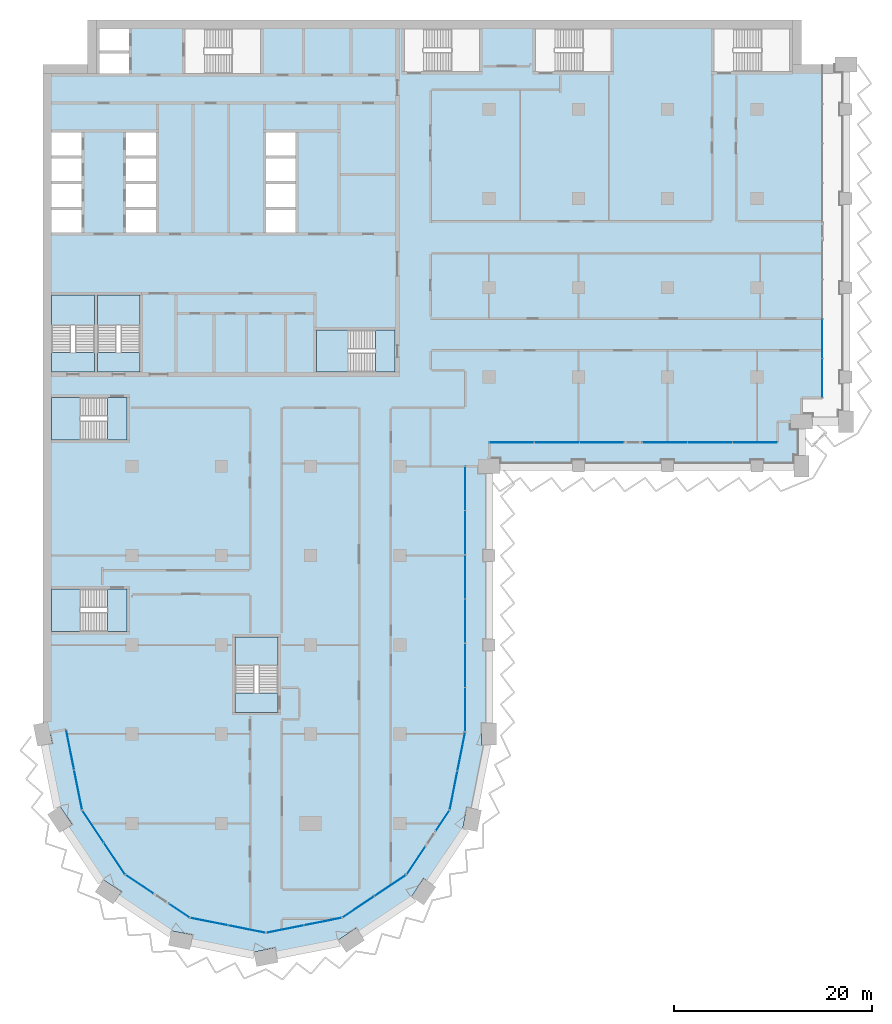
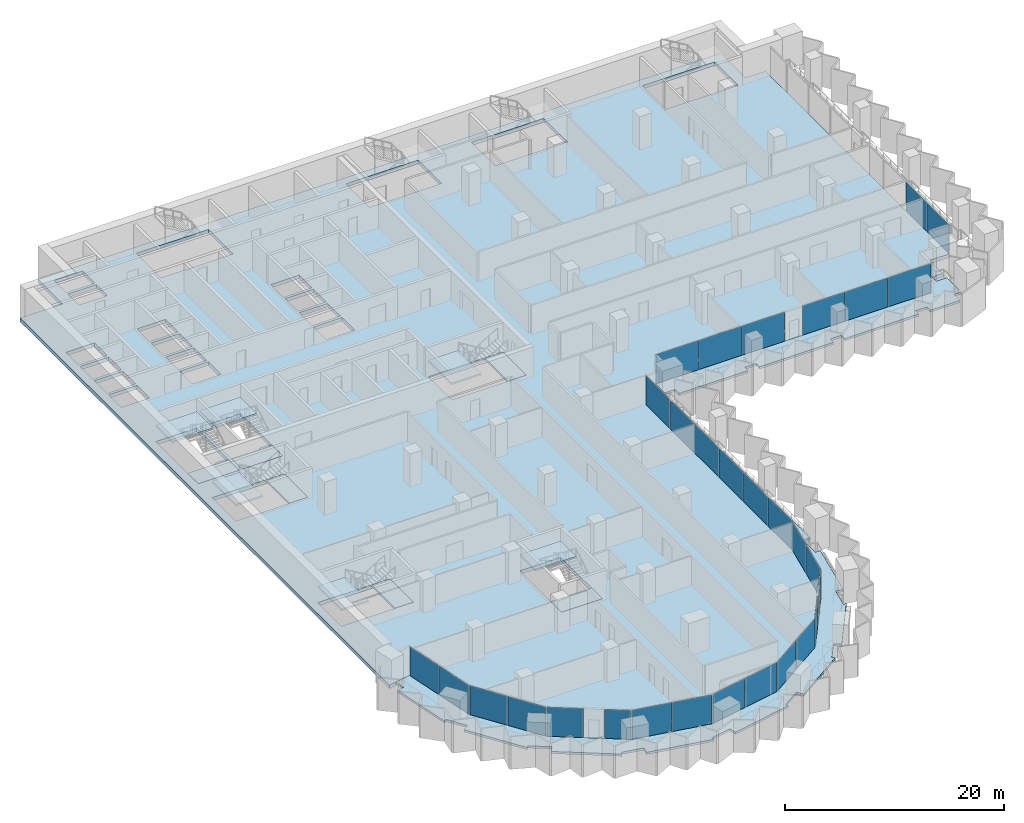
# One storey, part 7 of 23: 30 plates, 15 slabs, 20 elements without a shape of their own.
"""IFC4 building model written with IfcOpenShell, lengths in metres."""

from ifc_helpers import new_model, si_unit, direction, frame, origin, origin_2d, place, context, subcontext, project, spatial, polyline, rectangle, outline, extrude, material, layer, layer_set, type_object, element, aggregate, save


model = new_model("IFC4")

# Units and contexts
model_context = context("Model", 3, precision=1e-05, world=origin(), true_north=direction((0.0, 1.0)))
body_context = subcontext(model_context, "Body", "Model", "MODEL_VIEW")
ifc_project = project(units=[si_unit("LENGTHUNIT", "METRE"), si_unit("AREAUNIT", "SQUARE_METRE"), si_unit("VOLUMEUNIT", "CUBIC_METRE"), si_unit("PLANEANGLEUNIT", "RADIAN"), si_unit("MASSUNIT", "GRAM", prefix="KILO")], contexts=[model_context])

# Site, building, storey
site_placement = place(None, origin())
site = spatial("IfcSite", under=ifc_project, at=site_placement, CompositionType="ELEMENT")
building_placement = place(site_placement, origin())
building = spatial("IfcBuilding", under=site, at=building_placement, Name="Hunhe Ridgeline Campus", CompositionType="ELEMENT")
storey_placement = place(building_placement, frame((0.0, 0.0, 99.60009765625)))
storey = spatial("IfcBuildingStorey", under=building, at=storey_placement, Name="L24", CompositionType="ELEMENT", Elevation=99.60009765625)

# Curtain wall, plates
ifc_material_1 = material(Name="Aluminium 6063", Category="aluminium")
curtain_wall_type_1 = type_object("IfcCurtainWallType", Name="Curtain wall CW-5", PredefinedType="NOTDEFINED", material=ifc_material_1)
curtain_wall_1_placement = place(storey_placement, origin())
curtain_wall_1 = element("IfcCurtainWall", 1, at=curtain_wall_1_placement, inside=storey, type_object=curtain_wall_type_1, Name="Curtain wall 01", PredefinedType="NOTDEFINED")
ifc_material_2 = material(Name="Low-e laminated glass", Category="glass")
ifc_layer_1 = layer(ifc_material_2, 0.028076171875)
ifc_layer_set_1 = layer_set([ifc_layer_1], Name="Curtain wall glass panel 28 low-e laminated")
plate_type = type_object("IfcPlateType", Name="Curtain wall glass panel 28 low-e laminated", PredefinedType="CURTAIN_PANEL", material=ifc_layer_set_1)
plate_1_placement = place(storey_placement, frame((2.76318359375, 25.416015625, 0.0), z_axis=(0.0, 0.0, 1.0), x_axis=(0.195095347137, -0.980784280831, 0.0)))
plate_1 = element("IfcPlate", 2, at=plate_1_placement, type_object=plate_type, Name="CW-5 panel 1", PredefinedType="CURTAIN_PANEL", context=body_context, shape_type="SweptSolid", body=[
    extrude(rectangle(XDim=4.0458984375, YDim=0.028076171875, at=origin_2d()), origin(), (0.0, 0.0, 1.0), 3.22998046875),
])
plate_2_placement = place(storey_placement, frame((3.566162109375, 21.379150390625, 0.0), z_axis=(0.0, 0.0, 1.0), x_axis=(0.195095347137, -0.980784280831, 0.0)))
plate_2 = element("IfcPlate", 3, at=plate_2_placement, type_object=plate_type, Name="CW-5 panel 2", PredefinedType="CURTAIN_PANEL", context=body_context, shape_type="SweptSolid", body=[
    extrude(rectangle(XDim=4.0458984375, YDim=0.028076171875, at=origin_2d()), origin(), (0.0, 0.0, 1.0), 3.22998046875),
])
aggregate(curtain_wall_1, [plate_1, plate_2])

curtain_wall_2_placement = place(storey_placement, origin())
curtain_wall_2 = element("IfcCurtainWall", 4, at=curtain_wall_2_placement, inside=storey, type_object=curtain_wall_type_1, Name="Curtain wall 02", PredefinedType="NOTDEFINED")
plate_3_placement = place(storey_placement, frame((5.07080078125, 17.685546875, 0.0), z_axis=(0.0, 0.0, 1.0), x_axis=(0.555570274596, -0.831469584522, 0.0)))
plate_3 = element("IfcPlate", 5, at=plate_3_placement, type_object=plate_type, Name="CW-5 panel 1", PredefinedType="CURTAIN_PANEL", context=body_context, shape_type="SweptSolid", body=[
    extrude(rectangle(XDim=3.806884765625, YDim=0.028076171875, at=origin_2d()), origin(), (0.0, 0.0, 1.0), 3.22998046875),
])
plate_4_placement = place(storey_placement, frame((7.224609375, 14.4619140625, 0.0), z_axis=(0.0, 0.0, 1.0), x_axis=(0.555570274596, -0.831469584522, 0.0)))
plate_4 = element("IfcPlate", 6, at=plate_4_placement, type_object=plate_type, Name="CW-5 panel 2", PredefinedType="CURTAIN_PANEL", context=body_context, shape_type="SweptSolid", body=[
    extrude(rectangle(XDim=3.806884765625, YDim=0.028076171875, at=origin_2d()), origin(), (0.0, 0.0, 1.0), 3.22998046875),
])
aggregate(curtain_wall_2, [plate_3, plate_4])

# Curtain wall, plate
curtain_wall_3_placement = place(storey_placement, origin())
curtain_wall_3 = element("IfcCurtainWall", 7, at=curtain_wall_3_placement, inside=storey, type_object=curtain_wall_type_1, Name="Curtain wall 03", PredefinedType="NOTDEFINED")
plate_5_placement = place(storey_placement, frame((9.76025390625, 11.859375, 0.0), z_axis=(0.0, 0.0, 1.0), x_axis=(0.831469595944, -0.555570257501, 0.0)))
plate_5 = element("IfcPlate", 8, at=plate_5_placement, type_object=plate_type, Name="CW-5 panel 1", PredefinedType="CURTAIN_PANEL", context=body_context, shape_type="SweptSolid", body=[
    extrude(rectangle(XDim=3.322021484375, YDim=0.028076171875, at=origin_2d()), origin(), (0.0, 0.0, 1.0), 3.22998046875),
])
aggregate(curtain_wall_3, [plate_5])

curtain_wall_4_placement = place(storey_placement, origin())
curtain_wall_4 = element("IfcCurtainWall", 9, at=curtain_wall_4_placement, inside=storey, type_object=curtain_wall_type_1, Name="Curtain wall 04", PredefinedType="NOTDEFINED")
plate_6_placement = place(storey_placement, frame((13.761474609375, 9.18603515625, 0.0), z_axis=(0.0, 0.0, 1.0), x_axis=(0.831469510353, -0.555570385598, 0.0)))
plate_6 = element("IfcPlate", 10, at=plate_6_placement, type_object=plate_type, Name="CW-5 panel 1", PredefinedType="CURTAIN_PANEL", context=body_context, shape_type="SweptSolid", body=[
    extrude(rectangle(XDim=2.421875, YDim=0.028076171875, at=origin_2d()), origin(), (0.0, 0.0, 1.0), 3.22998046875),
])
aggregate(curtain_wall_4, [plate_6])

# Curtain wall, plates
curtain_wall_5_placement = place(storey_placement, origin())
curtain_wall_5 = element("IfcCurtainWall", 11, at=curtain_wall_5_placement, inside=storey, type_object=curtain_wall_type_1, Name="Curtain wall 05", PredefinedType="NOTDEFINED")
plate_7_placement = place(storey_placement, frame((16.761962890625, 8.08935546875, 0.0), z_axis=(0.0, 0.0, 1.0), x_axis=(0.980785275326, -0.195090347539, 0.0)))
plate_7 = element("IfcPlate", 12, at=plate_7_placement, type_object=plate_type, Name="CW-5 panel 1", PredefinedType="CURTAIN_PANEL", context=body_context, shape_type="SweptSolid", body=[
    extrude(rectangle(XDim=3.806884765625, YDim=0.028076171875, at=origin_2d()), origin(), (0.0, 0.0, 1.0), 3.22998046875),
])
plate_8_placement = place(storey_placement, frame((20.564453125, 7.3330078125, 0.0), z_axis=(0.0, 0.0, 1.0), x_axis=(0.980785275326, -0.195090347539, 0.0)))
plate_8 = element("IfcPlate", 13, at=plate_8_placement, type_object=plate_type, Name="CW-5 panel 2", PredefinedType="CURTAIN_PANEL", context=body_context, shape_type="SweptSolid", body=[
    extrude(rectangle(XDim=3.806884765625, YDim=0.028076171875, at=origin_2d()), origin(), (0.0, 0.0, 1.0), 3.22998046875),
])
aggregate(curtain_wall_5, [plate_7, plate_8])

curtain_wall_6_placement = place(storey_placement, origin())
curtain_wall_6 = element("IfcCurtainWall", 14, at=curtain_wall_6_placement, inside=storey, type_object=curtain_wall_type_1, Name="Curtain wall 06", PredefinedType="NOTDEFINED")
plate_9_placement = place(storey_placement, frame((24.435546875, 7.3330078125, 0.0), z_axis=(0.0, 0.0, 1.0), x_axis=(0.980785275326, 0.195090347539, 0.0)))
plate_9 = element("IfcPlate", 15, at=plate_9_placement, type_object=plate_type, Name="CW-5 panel 1", PredefinedType="CURTAIN_PANEL", context=body_context, shape_type="SweptSolid", body=[
    extrude(rectangle(XDim=3.806884765625, YDim=0.028076171875, at=origin_2d()), origin(), (0.0, 0.0, 1.0), 3.22998046875),
])
plate_10_placement = place(storey_placement, frame((28.238037109375, 8.08935546875, 0.0), z_axis=(0.0, 0.0, 1.0), x_axis=(0.980785275326, 0.195090347539, 0.0)))
plate_10 = element("IfcPlate", 16, at=plate_10_placement, type_object=plate_type, Name="CW-5 panel 2", PredefinedType="CURTAIN_PANEL", context=body_context, shape_type="SweptSolid", body=[
    extrude(rectangle(XDim=3.806884765625, YDim=0.028076171875, at=origin_2d()), origin(), (0.0, 0.0, 1.0), 3.22998046875),
])
aggregate(curtain_wall_6, [plate_9, plate_10])

curtain_wall_7_placement = place(storey_placement, origin())
curtain_wall_7 = element("IfcCurtainWall", 17, at=curtain_wall_7_placement, inside=storey, type_object=curtain_wall_type_1, Name="Curtain wall 07", PredefinedType="NOTDEFINED")
plate_11_placement = place(storey_placement, frame((31.814453125, 9.57080078125, 0.0), z_axis=(0.0, 0.0, 1.0), x_axis=(0.831469584522, 0.555570274596, 0.0)))
plate_11 = element("IfcPlate", 18, at=plate_11_placement, type_object=plate_type, Name="CW-5 panel 1", PredefinedType="CURTAIN_PANEL", context=body_context, shape_type="SweptSolid", body=[
    extrude(rectangle(XDim=3.806884765625, YDim=0.028076171875, at=origin_2d()), origin(), (0.0, 0.0, 1.0), 3.22998046875),
])
plate_12_placement = place(storey_placement, frame((35.0380859375, 11.724609375, 0.0), z_axis=(0.0, 0.0, 1.0), x_axis=(0.831469584522, 0.555570274596, 0.0)))
plate_12 = element("IfcPlate", 19, at=plate_12_placement, type_object=plate_type, Name="CW-5 panel 2", PredefinedType="CURTAIN_PANEL", context=body_context, shape_type="SweptSolid", body=[
    extrude(rectangle(XDim=3.806884765625, YDim=0.028076171875, at=origin_2d()), origin(), (0.0, 0.0, 1.0), 3.22998046875),
])
aggregate(curtain_wall_7, [plate_11, plate_12])

# Curtain wall, plate
curtain_wall_8_placement = place(storey_placement, origin())
curtain_wall_8 = element("IfcCurtainWall", 20, at=curtain_wall_8_placement, inside=storey, type_object=curtain_wall_type_1, Name="Curtain wall 08", PredefinedType="NOTDEFINED")
plate_13_placement = place(storey_placement, frame((37.640625, 14.26025390625, 0.0), z_axis=(0.0, 0.0, 1.0), x_axis=(0.555570257501, 0.831469595944, 0.0)))
plate_13 = element("IfcPlate", 21, at=plate_13_placement, type_object=plate_type, Name="CW-5 panel 1", PredefinedType="CURTAIN_PANEL", context=body_context, shape_type="SweptSolid", body=[
    extrude(rectangle(XDim=3.322021484375, YDim=0.028076171875, at=origin_2d()), origin(), (0.0, 0.0, 1.0), 3.22998046875),
])
aggregate(curtain_wall_8, [plate_13])

curtain_wall_9_placement = place(storey_placement, origin())
curtain_wall_9 = element("IfcCurtainWall", 22, at=curtain_wall_9_placement, inside=storey, type_object=curtain_wall_type_1, Name="Curtain wall 09", PredefinedType="NOTDEFINED")
plate_14_placement = place(storey_placement, frame((40.31396484375, 18.261474609375, 0.0), z_axis=(0.0, 0.0, 1.0), x_axis=(0.555570385598, 0.831469510353, 0.0)))
plate_14 = element("IfcPlate", 23, at=plate_14_placement, type_object=plate_type, Name="CW-5 panel 1", PredefinedType="CURTAIN_PANEL", context=body_context, shape_type="SweptSolid", body=[
    extrude(rectangle(XDim=2.421875, YDim=0.028076171875, at=origin_2d()), origin(), (0.0, 0.0, 1.0), 3.22998046875),
])
aggregate(curtain_wall_9, [plate_14])

# Curtain wall, plates
curtain_wall_10_placement = place(storey_placement, origin())
curtain_wall_10 = element("IfcCurtainWall", 24, at=curtain_wall_10_placement, inside=storey, type_object=curtain_wall_type_1, Name="Curtain wall 10", PredefinedType="NOTDEFINED")
plate_15_placement = place(storey_placement, frame((41.42236328125, 21.321044921875, 0.0), z_axis=(0.0, 0.0, 1.0), x_axis=(0.195090299215, 0.980785284939, 0.0)))
plate_15 = element("IfcPlate", 25, at=plate_15_placement, type_object=plate_type, Name="CW-5 panel 1", PredefinedType="CURTAIN_PANEL", context=body_context, shape_type="SweptSolid", body=[
    extrude(rectangle(XDim=3.927490234375, YDim=0.028076171875, at=origin_2d()), origin(), (0.0, 0.0, 1.0), 3.22998046875),
])
plate_16_placement = place(storey_placement, frame((42.2021484375, 25.24169921875, 0.0), z_axis=(0.0, 0.0, 1.0), x_axis=(0.195090299215, 0.980785284939, 0.0)))
plate_16 = element("IfcPlate", 26, at=plate_16_placement, type_object=plate_type, Name="CW-5 panel 2", PredefinedType="CURTAIN_PANEL", context=body_context, shape_type="SweptSolid", body=[
    extrude(rectangle(XDim=3.927490234375, YDim=0.028076171875, at=origin_2d()), origin(), (0.0, 0.0, 1.0), 3.22998046875),
])
aggregate(curtain_wall_10, [plate_15, plate_16])

curtain_wall_type_2 = type_object("IfcCurtainWallType", Name="Curtain wall CW-1", PredefinedType="NOTDEFINED", material=ifc_material_1)
curtain_wall_11_placement = place(storey_placement, origin())
curtain_wall_11 = element("IfcCurtainWall", 27, at=curtain_wall_11_placement, inside=storey, type_object=curtain_wall_type_2, Name="Curtain wall 11", PredefinedType="NOTDEFINED")
plate_17_placement = place(storey_placement, frame((42.59912109375, 29.48193359375, 0.0), z_axis=(0.0, 0.0, 1.0), x_axis=(1.0947456e-05, 0.99999999994, 0.0)))
plate_17 = element("IfcPlate", 28, at=plate_17_placement, type_object=plate_type, Name="CW-1 panel 1", PredefinedType="CURTAIN_PANEL", context=body_context, shape_type="SweptSolid", body=[
    extrude(rectangle(XDim=4.37060546875, YDim=0.028076171875, at=origin_2d()), origin(), (0.0, 0.0, 1.0), 3.239990234375),
])
plate_18_placement = place(storey_placement, frame((42.59912109375, 33.927490234375, 0.0), z_axis=(0.0, 0.0, 1.0), x_axis=(1.0947456e-05, 0.99999999994, 0.0)))
plate_18 = element("IfcPlate", 29, at=plate_18_placement, type_object=plate_type, Name="CW-1 panel 2", PredefinedType="CURTAIN_PANEL", context=body_context, shape_type="SweptSolid", body=[
    extrude(rectangle(XDim=4.400634765625, YDim=0.028076171875, at=origin_2d()), origin(), (0.0, 0.0, 1.0), 3.239990234375),
])
plate_19_placement = place(storey_placement, frame((42.59912109375, 38.38818359375, 0.0), z_axis=(0.0, 0.0, 1.0), x_axis=(1.0947456e-05, 0.99999999994, 0.0)))
plate_19 = element("IfcPlate", 30, at=plate_19_placement, type_object=plate_type, Name="CW-1 panel 3", PredefinedType="CURTAIN_PANEL", context=body_context, shape_type="SweptSolid", body=[
    extrude(rectangle(XDim=4.400634765625, YDim=0.028076171875, at=origin_2d()), origin(), (0.0, 0.0, 1.0), 3.239990234375),
])
plate_20_placement = place(storey_placement, frame((42.59912109375, 42.848876953125, 0.0), z_axis=(0.0, 0.0, 1.0), x_axis=(1.0947456e-05, 0.99999999994, 0.0)))
plate_20 = element("IfcPlate", 31, at=plate_20_placement, type_object=plate_type, Name="CW-1 panel 4", PredefinedType="CURTAIN_PANEL", context=body_context, shape_type="SweptSolid", body=[
    extrude(rectangle(XDim=4.400634765625, YDim=0.028076171875, at=origin_2d()), origin(), (0.0, 0.0, 1.0), 3.239990234375),
])
plate_21_placement = place(storey_placement, frame((42.59912109375, 47.3095703125, 0.0), z_axis=(0.0, 0.0, 1.0), x_axis=(1.0947456e-05, 0.99999999994, 0.0)))
plate_21 = element("IfcPlate", 32, at=plate_21_placement, type_object=plate_type, Name="CW-1 panel 5", PredefinedType="CURTAIN_PANEL", context=body_context, shape_type="SweptSolid", body=[
    extrude(rectangle(XDim=4.400634765625, YDim=0.028076171875, at=origin_2d()), origin(), (0.0, 0.0, 1.0), 3.239990234375),
])
plate_22_placement = place(storey_placement, frame((42.599365234375, 51.75537109375, 0.0), z_axis=(0.0, 0.0, 1.0), x_axis=(1.0947456e-05, 0.99999999994, 0.0)))
plate_22 = element("IfcPlate", 33, at=plate_22_placement, type_object=plate_type, Name="CW-1 panel 6", PredefinedType="CURTAIN_PANEL", context=body_context, shape_type="SweptSolid", body=[
    extrude(rectangle(XDim=4.37060546875, YDim=0.028076171875, at=origin_2d()), origin(), (0.0, 0.0, 1.0), 3.239990234375),
])
aggregate(curtain_wall_11, [plate_17, plate_18, plate_19, plate_20, plate_21, plate_22])

curtain_wall_12_placement = place(storey_placement, origin())
curtain_wall_12 = element("IfcCurtainWall", 34, at=curtain_wall_12_placement, inside=storey, type_object=curtain_wall_type_2, Name="Curtain wall 12", PredefinedType="NOTDEFINED")
plate_23_placement = place(storey_placement, frame((47.289794921875, 56.40087890625, 0.0), z_axis=(0.0, 0.0, 1.0), x_axis=(1.0, 1.4652e-07, 0.0)))
plate_23 = element("IfcPlate", 35, at=plate_23_placement, type_object=plate_type, Name="CW-1 panel 1", PredefinedType="CURTAIN_PANEL", context=body_context, shape_type="SweptSolid", body=[
    extrude(rectangle(XDim=4.4599609375, YDim=0.028076171875, at=origin_2d()), origin(), (0.0, 0.0, 1.0), 3.239990234375),
])
plate_24_placement = place(storey_placement, frame((51.82470703125, 56.40087890625, 0.0), z_axis=(0.0, 0.0, 1.0), x_axis=(1.0, 1.4652e-07, 0.0)))
plate_24 = element("IfcPlate", 36, at=plate_24_placement, type_object=plate_type, Name="CW-1 panel 2", PredefinedType="CURTAIN_PANEL", context=body_context, shape_type="SweptSolid", body=[
    extrude(rectangle(XDim=4.48974609375, YDim=0.028076171875, at=origin_2d()), origin(), (0.0, 0.0, 1.0), 3.239990234375),
])
plate_25_placement = place(storey_placement, frame((56.359619140625, 56.40087890625, 0.0), z_axis=(0.0, 0.0, 1.0), x_axis=(1.0, 1.4652e-07, 0.0)))
plate_25 = element("IfcPlate", 37, at=plate_25_placement, type_object=plate_type, Name="CW-1 panel 3", PredefinedType="CURTAIN_PANEL", context=body_context, shape_type="SweptSolid", body=[
    extrude(rectangle(XDim=4.4599609375, YDim=0.028076171875, at=origin_2d()), origin(), (0.0, 0.0, 1.0), 3.239990234375),
])
aggregate(curtain_wall_12, [plate_23, plate_24, plate_25])

curtain_wall_13_placement = place(storey_placement, origin())
curtain_wall_13 = element("IfcCurtainWall", 38, at=curtain_wall_13_placement, inside=storey, type_object=curtain_wall_type_2, Name="Curtain wall 13", PredefinedType="NOTDEFINED")
plate_26_placement = place(storey_placement, frame((62.7392578125, 56.40087890625, 0.0), z_axis=(0.0, 0.0, 1.0), x_axis=(1.0, 1.4652e-07, 0.0)))
plate_26 = element("IfcPlate", 39, at=plate_26_placement, type_object=plate_type, Name="CW-1 panel 1", PredefinedType="CURTAIN_PANEL", context=body_context, shape_type="SweptSolid", body=[
    extrude(rectangle(XDim=4.4599609375, YDim=0.028076171875, at=origin_2d()), origin(), (0.0, 0.0, 1.0), 3.239990234375),
])
plate_27_placement = place(storey_placement, frame((67.274169921875, 56.40087890625, 0.0), z_axis=(0.0, 0.0, 1.0), x_axis=(1.0, 1.4652e-07, 0.0)))
plate_27 = element("IfcPlate", 40, at=plate_27_placement, type_object=plate_type, Name="CW-1 panel 2", PredefinedType="CURTAIN_PANEL", context=body_context, shape_type="SweptSolid", body=[
    extrude(rectangle(XDim=4.48974609375, YDim=0.028076171875, at=origin_2d()), origin(), (0.0, 0.0, 1.0), 3.239990234375),
])
plate_28_placement = place(storey_placement, frame((71.80908203125, 56.40087890625, 0.0), z_axis=(0.0, 0.0, 1.0), x_axis=(1.0, 1.4652e-07, 0.0)))
plate_28 = element("IfcPlate", 41, at=plate_28_placement, type_object=plate_type, Name="CW-1 panel 3", PredefinedType="CURTAIN_PANEL", context=body_context, shape_type="SweptSolid", body=[
    extrude(rectangle(XDim=4.4599609375, YDim=0.028076171875, at=origin_2d()), origin(), (0.0, 0.0, 1.0), 3.239990234375),
])
aggregate(curtain_wall_13, [plate_26, plate_27, plate_28])

curtain_wall_14_placement = place(storey_placement, origin())
curtain_wall_14 = element("IfcCurtainWall", 42, at=curtain_wall_14_placement, inside=storey, type_object=curtain_wall_type_2, Name="Curtain wall 14", PredefinedType="NOTDEFINED")
plate_29_placement = place(storey_placement, frame((78.59912109375, 62.9033203125, 0.0), z_axis=(0.0, 0.0, 1.0), x_axis=(0.0, 1.0, 0.0)))
plate_29 = element("IfcPlate", 43, at=plate_29_placement, type_object=plate_type, Name="CW-1 panel 1", PredefinedType="CURTAIN_PANEL", context=body_context, shape_type="SweptSolid", body=[
    extrude(rectangle(XDim=3.884765625, YDim=0.028076171875, at=origin_2d()), origin(), (0.0, 0.0, 1.0), 3.239990234375),
])
plate_30_placement = place(storey_placement, frame((78.59912109375, 66.86328125, 0.0), z_axis=(0.0, 0.0, 1.0), x_axis=(0.0, 1.0, 0.0)))
plate_30 = element("IfcPlate", 44, at=plate_30_placement, type_object=plate_type, Name="CW-1 panel 2", PredefinedType="CURTAIN_PANEL", context=body_context, shape_type="SweptSolid", body=[
    extrude(rectangle(XDim=3.914794921875, YDim=0.028076171875, at=origin_2d()), origin(), (0.0, 0.0, 1.0), 3.239990234375),
])
aggregate(curtain_wall_14, [plate_29, plate_30])

# Slabs
ifc_material_3 = material(Name="Concrete C40", Category="concrete")
ifc_layer_2 = layer(ifc_material_3, 0.39990234375)
ifc_layer_set_2 = layer_set([ifc_layer_2], Name="Floor slab 400 Concrete C40")
slab_type_1 = type_object("IfcSlabType", Name="Floor slab 400 Concrete C40", PredefinedType="FLOOR", material=ifc_layer_set_2)
slab_1_placement = place(storey_placement, frame((0.0, 0.0, -0.400146484375)))
element("IfcSlab", 45, at=slab_1_placement, inside=storey, type_object=slab_type_1, Name="Floor slab L24 1", PredefinedType="FLOOR", context=body_context, shape_type="SweptSolid", body=[
    extrude(outline(polyline([(0.0, 27.0009765625), (2.354736328125, 27.46875), (3.974365234375, 19.326416015625), (8.321044921875, 12.821044921875), (14.826416015625, 8.474365234375), (22.5, 6.947998046875), (30.173583984375, 8.474365234375), (36.678955078125, 12.821044921875), (41.025634765625, 19.326416015625), (42.59912109375, 27.236572265625), (42.599365234375, 54.000732421875), (44.9990234375, 54.0009765625), (45.0, 56.40087890625), (74.09912109375, 56.40087890625), (74.099365234375, 58.500732421875), (76.4990234375, 58.5009765625), (76.499267578125, 60.900634765625), (78.59912109375, 60.90087890625), (78.59912109375, 94.5), (76.5, 94.5), (76.5, 99.0), (4.5, 99.0), (4.5, 94.5), (0.0, 94.5), (0.0, 27.0009765625)]), holes=[polyline([(67.699951171875, 93.800048828125), (75.300048828125, 93.800048828125), (75.300048828125, 98.10009765625), (67.699951171875, 98.10009765625), (67.699951171875, 93.800048828125)]), polyline([(57.300048828125, 93.800048828125), (57.300048828125, 98.10009765625), (49.699951171875, 98.10009765625), (49.699951171875, 93.800048828125), (57.300048828125, 93.800048828125)]), polyline([(44.050048828125, 98.10009765625), (36.449951171875, 98.10009765625), (36.449951171875, 93.800048828125), (44.050048828125, 93.800048828125), (44.050048828125, 98.10009765625)]), polyline([(27.60009765625, 67.75), (27.60009765625, 63.5), (35.5, 63.5), (35.5, 67.75), (27.60009765625, 67.75)]), polyline([(25.5, 85.35009765625), (25.5, 87.64990234375), (22.5, 87.64990234375), (22.5, 85.35009765625), (25.5, 85.35009765625)]), polyline([(25.5, 85.050048828125), (22.5, 85.050048828125), (22.5, 82.75), (25.5, 82.75), (25.5, 85.050048828125)]), polyline([(22.5, 82.449951171875), (22.5, 80.14990234375), (25.5, 80.14990234375), (25.5, 82.449951171875), (22.5, 82.449951171875)]), polyline([(22.5, 77.550048828125), (25.5, 77.550048828125), (25.5, 79.85009765625), (22.5, 79.85009765625), (22.5, 77.550048828125)]), polyline([(19.39990234375, 29.199951171875), (23.699951171875, 29.199951171875), (23.699951171875, 36.800048828125), (19.39990234375, 36.800048828125), (19.39990234375, 29.199951171875)]), polyline([(21.949951171875, 98.10009765625), (14.35009765625, 98.10009765625), (14.35009765625, 93.60009765625), (21.949951171875, 93.60009765625), (21.949951171875, 98.10009765625)]), polyline([(8.39990234375, 82.449951171875), (8.39990234375, 80.14990234375), (11.39990234375, 80.14990234375), (11.39990234375, 82.449951171875), (8.39990234375, 82.449951171875)]), polyline([(11.39990234375, 85.35009765625), (11.39990234375, 87.64990234375), (8.39990234375, 87.64990234375), (8.39990234375, 85.35009765625), (11.39990234375, 85.35009765625)]), polyline([(11.39990234375, 85.050048828125), (8.39990234375, 85.050048828125), (8.39990234375, 82.75), (11.39990234375, 82.75), (11.39990234375, 85.050048828125)]), polyline([(8.39990234375, 77.550048828125), (11.39990234375, 77.550048828125), (11.39990234375, 79.85009765625), (8.39990234375, 79.85009765625), (8.39990234375, 77.550048828125)]), polyline([(5.5, 63.5), (9.800048828125, 63.5), (9.800048828125, 71.25), (5.5, 71.25), (5.5, 63.5)]), polyline([(5.699951171875, 98.10009765625), (5.699951171875, 95.89990234375), (8.699951171875, 95.89990234375), (8.699951171875, 98.10009765625), (5.699951171875, 98.10009765625)]), polyline([(5.699951171875, 93.60009765625), (8.699951171875, 93.60009765625), (8.699951171875, 95.60009765625), (5.699951171875, 95.60009765625), (5.699951171875, 93.60009765625)]), polyline([(0.89990234375, 60.949951171875), (0.89990234375, 56.64990234375), (8.5, 56.64990234375), (8.5, 60.949951171875), (0.89990234375, 60.949951171875)]), polyline([(0.89990234375, 37.35009765625), (8.5, 37.35009765625), (8.5, 41.64990234375), (0.89990234375, 41.64990234375), (0.89990234375, 37.35009765625)]), polyline([(5.199951171875, 63.5), (5.199951171875, 71.25), (0.89990234375, 71.25), (0.89990234375, 63.5), (5.199951171875, 63.5)]), polyline([(3.89990234375, 85.35009765625), (3.89990234375, 87.64990234375), (0.89990234375, 87.64990234375), (0.89990234375, 85.35009765625), (3.89990234375, 85.35009765625)]), polyline([(3.89990234375, 85.050048828125), (0.89990234375, 85.050048828125), (0.89990234375, 82.75), (3.89990234375, 82.75), (3.89990234375, 85.050048828125)]), polyline([(0.89990234375, 82.449951171875), (0.89990234375, 80.14990234375), (3.89990234375, 80.14990234375), (3.89990234375, 82.449951171875), (0.89990234375, 82.449951171875)]), polyline([(0.89990234375, 77.550048828125), (3.89990234375, 77.550048828125), (3.89990234375, 79.85009765625), (0.89990234375, 79.85009765625), (0.89990234375, 77.550048828125)])]), origin(), (0.0, 0.0, 1.0), 0.400146484375),
])
ifc_layer_3 = layer(ifc_material_3, 0.25)
ifc_layer_set_3 = layer_set([ifc_layer_3], Name="Loggia slab 250 Concrete C40")
slab_type_2 = type_object("IfcSlabType", Name="Loggia slab 250 Concrete C40", PredefinedType="FLOOR", material=ifc_layer_set_3)
slab_2_placement = place(storey_placement, frame((0.0, 0.0, -0.25)))
element("IfcSlab", 46, at=slab_2_placement, inside=storey, type_object=slab_type_2, Name="Loggia slab 1", PredefinedType="FLOOR", context=body_context, shape_type="SweptSolid", body=[
    extrude(outline(polyline([(30.173828125, 8.473388671875), (22.5, 6.947021484375), (14.826171875, 8.473388671875), (8.3203125, 12.8203125), (3.973388671875, 19.326171875), (2.35400390625, 27.46826171875), (0.735595703125, 27.146240234375), (0.9501953125, 26.0673828125), (0.214599609375, 25.921142578125), (1.48046875, 19.557373046875), (1.72509765625, 19.720947265625), (2.947509765625, 17.8916015625), (2.32373046875, 17.47509765625), (5.9287109375, 12.080078125), (6.092041015625, 12.32470703125), (7.92138671875, 11.1025390625), (7.504638671875, 10.47900390625), (12.899658203125, 6.874267578125), (12.95703125, 7.162841796875), (15.11474609375, 6.733642578125), (14.968505859375, 5.998046875), (21.332275390625, 4.732177734375), (21.27490234375, 5.02099609375), (23.4326171875, 5.4501953125), (23.578857421875, 4.714599609375), (29.942626953125, 5.98046875), (29.779052734375, 6.22509765625), (31.6083984375, 7.447509765625), (32.02490234375, 6.82373046875), (37.419921875, 10.4287109375), (37.17529296875, 10.592041015625), (38.3974609375, 12.42138671875), (39.02099609375, 12.004638671875), (42.625732421875, 17.399658203125), (42.337158203125, 17.45703125), (42.766357421875, 19.61474609375), (43.501953125, 19.468505859375), (44.78125, 25.89990234375), (44.25, 25.89990234375), (44.25, 28.10009765625), (45.0, 28.10009765625), (45.0, 35.39990234375), (44.39990234375, 35.39990234375), (44.39990234375, 36.60009765625), (45.0, 36.60009765625), (45.0, 44.39990234375), (44.39990234375, 44.39990234375), (44.39990234375, 45.60009765625), (45.0, 45.60009765625), (45.0, 53.25), (43.89990234375, 53.25), (43.89990234375, 54.0), (42.60009765625, 54.0), (42.60009765625, 27.236328125), (41.026611328125, 19.326171875), (36.6796875, 12.8203125), (30.173828125, 8.473388671875)])), origin(), (0.0, 0.0, 1.0), 0.25),
])
slab_3_placement = place(storey_placement, frame((0.0, 0.0, -0.25)))
element("IfcSlab", 47, at=slab_3_placement, inside=storey, type_object=slab_type_2, Name="Loggia slab 2", PredefinedType="FLOOR", context=body_context, shape_type="SweptSolid", body=[
    extrude(outline(polyline([(45.0, 54.75), (46.10009765625, 54.75), (46.10009765625, 54.0), (53.39990234375, 54.0), (53.39990234375, 54.60009765625), (54.60009765625, 54.60009765625), (54.60009765625, 54.0), (62.39990234375, 54.0), (62.39990234375, 54.60009765625), (63.60009765625, 54.60009765625), (63.60009765625, 54.0), (71.39990234375, 54.0), (71.39990234375, 54.60009765625), (72.60009765625, 54.60009765625), (72.60009765625, 54.0), (75.75, 54.0), (75.75, 55.10009765625), (76.5, 55.10009765625), (76.5, 57.75), (75.39990234375, 57.75), (75.39990234375, 58.5), (74.10009765625, 58.5), (74.10009765625, 56.39990234375), (45.0, 56.39990234375), (45.0, 54.75)])), origin(), (0.0, 0.0, 1.0), 0.25),
])

# Stair, slab
stair_type = type_object("IfcStairType", Name="Reinforced concrete dog-leg stair 1950 Concrete C40", PredefinedType="HALF_TURN_STAIR", material=ifc_material_3)
stair_1_placement = place(storey_placement, origin())
stair_1 = element("IfcStair", 48, at=stair_1_placement, inside=storey, type_object=stair_type, Name="L24 S2", PredefinedType="HALF_TURN_STAIR")
ifc_layer_4 = layer(ifc_material_3, 0.199951171875)
ifc_layer_set_4 = layer_set([ifc_layer_4], Name="Reinforced concrete stair landing 200 Concrete C40")
slab_type_3 = type_object("IfcSlabType", Name="Reinforced concrete stair landing 200 Concrete C40", PredefinedType="LANDING", material=ifc_layer_set_4)
slab_4_placement = place(storey_placement, frame((0.0, 0.0, 1.64990234375)))
slab_4 = element("IfcSlab", 49, at=slab_4_placement, type_object=slab_type_3, Name="ST2 landing 1", PredefinedType="LANDING", context=body_context, shape_type="SweptSolid", body=[
    extrude(outline(polyline([(30.75, 67.75), (27.60009765625, 67.75), (27.60009765625, 63.5), (30.75, 63.5), (30.75, 67.75)])), origin(), (0.0, 0.0, 1.0), 0.199951171875),
])
aggregate(stair_1, [slab_4])

# Slab
slab_5_placement = place(storey_placement, frame((0.0, 0.0, -0.2001953125)))
element("IfcSlab", 50, at=slab_5_placement, inside=storey, type_object=slab_type_3, Name="L24 stair S2 floor landing", PredefinedType="LANDING", context=body_context, shape_type="SweptSolid", body=[
    extrude(outline(polyline([(35.5, 67.75), (33.550048828125, 67.75), (33.550048828125, 63.5), (35.5, 63.5), (35.5, 67.75)])), origin(), (0.0, 0.0, 1.0), 0.2001953125),
])

# Stair, slab
stair_2_placement = place(storey_placement, origin())
stair_2 = element("IfcStair", 51, at=stair_2_placement, inside=storey, type_object=stair_type, Name="L24 S3", PredefinedType="HALF_TURN_STAIR")
slab_6_placement = place(storey_placement, frame((0.0, 0.0, 1.64990234375)))
slab_6 = element("IfcSlab", 52, at=slab_6_placement, type_object=slab_type_3, Name="ST3 landing 1", PredefinedType="LANDING", context=body_context, shape_type="SweptSolid", body=[
    extrude(outline(polyline([(5.199951171875, 68.25), (5.199951171875, 71.25), (0.89990234375, 71.25), (0.89990234375, 68.25), (5.199951171875, 68.25)])), origin(), (0.0, 0.0, 1.0), 0.199951171875),
])
aggregate(stair_2, [slab_6])

# Slab
slab_7_placement = place(storey_placement, frame((0.0, 0.0, -0.2001953125)))
element("IfcSlab", 53, at=slab_7_placement, inside=storey, type_object=slab_type_3, Name="L24 stair S3 floor landing", PredefinedType="LANDING", context=body_context, shape_type="SweptSolid", body=[
    extrude(outline(polyline([(5.199951171875, 63.5), (5.199951171875, 65.449951171875), (0.89990234375, 65.449951171875), (0.89990234375, 63.5), (5.199951171875, 63.5)])), origin(), (0.0, 0.0, 1.0), 0.2001953125),
])

# Stair, slab
stair_3_placement = place(storey_placement, origin())
stair_3 = element("IfcStair", 54, at=stair_3_placement, inside=storey, type_object=stair_type, Name="L24 S4", PredefinedType="HALF_TURN_STAIR")
slab_8_placement = place(storey_placement, frame((0.0, 0.0, 1.64990234375)))
slab_8 = element("IfcSlab", 55, at=slab_8_placement, type_object=slab_type_3, Name="ST4 landing 1", PredefinedType="LANDING", context=body_context, shape_type="SweptSolid", body=[
    extrude(outline(polyline([(9.800048828125, 68.25), (9.800048828125, 71.25), (5.5, 71.25), (5.5, 68.25), (9.800048828125, 68.25)])), origin(), (0.0, 0.0, 1.0), 0.199951171875),
])
aggregate(stair_3, [slab_8])

# Slab
slab_9_placement = place(storey_placement, frame((0.0, 0.0, -0.2001953125)))
element("IfcSlab", 56, at=slab_9_placement, inside=storey, type_object=slab_type_3, Name="L24 stair S4 floor landing", PredefinedType="LANDING", context=body_context, shape_type="SweptSolid", body=[
    extrude(outline(polyline([(9.800048828125, 63.5), (9.800048828125, 65.449951171875), (5.5, 65.449951171875), (5.5, 63.5), (9.800048828125, 63.5)])), origin(), (0.0, 0.0, 1.0), 0.2001953125),
])

# Stair, slab
stair_4_placement = place(storey_placement, origin())
stair_4 = element("IfcStair", 57, at=stair_4_placement, inside=storey, type_object=stair_type, Name="L24 W3", PredefinedType="HALF_TURN_STAIR")
slab_10_placement = place(storey_placement, frame((0.0, 0.0, 1.64990234375)))
slab_10 = element("IfcSlab", 58, at=slab_10_placement, type_object=slab_type_3, Name="ST9 landing 1", PredefinedType="LANDING", context=body_context, shape_type="SweptSolid", body=[
    extrude(outline(polyline([(23.699951171875, 33.949951171875), (23.699951171875, 36.800048828125), (19.39990234375, 36.800048828125), (19.39990234375, 33.949951171875), (23.699951171875, 33.949951171875)])), origin(), (0.0, 0.0, 1.0), 0.199951171875),
])
aggregate(stair_4, [slab_10])

# Slab
slab_11_placement = place(storey_placement, frame((0.0, 0.0, -0.2001953125)))
element("IfcSlab", 59, at=slab_11_placement, inside=storey, type_object=slab_type_3, Name="L24 stair W3 floor landing", PredefinedType="LANDING", context=body_context, shape_type="SweptSolid", body=[
    extrude(outline(polyline([(23.699951171875, 29.199951171875), (23.699951171875, 31.14990234375), (19.39990234375, 31.14990234375), (19.39990234375, 29.199951171875), (23.699951171875, 29.199951171875)])), origin(), (0.0, 0.0, 1.0), 0.2001953125),
])

# Stair, slab
stair_5_placement = place(storey_placement, origin())
stair_5 = element("IfcStair", 60, at=stair_5_placement, inside=storey, type_object=stair_type, Name="L24 W1", PredefinedType="HALF_TURN_STAIR")
slab_12_placement = place(storey_placement, frame((0.0, 0.0, 1.64990234375)))
slab_12 = element("IfcSlab", 61, at=slab_12_placement, type_object=slab_type_3, Name="ST11 landing 1", PredefinedType="LANDING", context=body_context, shape_type="SweptSolid", body=[
    extrude(outline(polyline([(3.75, 41.64990234375), (0.89990234375, 41.64990234375), (0.89990234375, 37.35009765625), (3.75, 37.35009765625), (3.75, 41.64990234375)])), origin(), (0.0, 0.0, 1.0), 0.199951171875),
])
aggregate(stair_5, [slab_12])

# Slab
slab_13_placement = place(storey_placement, frame((0.0, 0.0, -0.2001953125)))
element("IfcSlab", 62, at=slab_13_placement, inside=storey, type_object=slab_type_3, Name="L24 stair W1 floor landing", PredefinedType="LANDING", context=body_context, shape_type="SweptSolid", body=[
    extrude(outline(polyline([(8.5, 41.64990234375), (6.550048828125, 41.64990234375), (6.550048828125, 37.35009765625), (8.5, 37.35009765625), (8.5, 41.64990234375)])), origin(), (0.0, 0.0, 1.0), 0.2001953125),
])

# Stair, slab
stair_6_placement = place(storey_placement, origin())
stair_6 = element("IfcStair", 63, at=stair_6_placement, inside=storey, type_object=stair_type, Name="L24 W2", PredefinedType="HALF_TURN_STAIR")
slab_14_placement = place(storey_placement, frame((0.0, 0.0, 1.64990234375)))
slab_14 = element("IfcSlab", 64, at=slab_14_placement, type_object=slab_type_3, Name="ST12 landing 1", PredefinedType="LANDING", context=body_context, shape_type="SweptSolid", body=[
    extrude(outline(polyline([(3.75, 60.949951171875), (0.89990234375, 60.949951171875), (0.89990234375, 56.64990234375), (3.75, 56.64990234375), (3.75, 60.949951171875)])), origin(), (0.0, 0.0, 1.0), 0.199951171875),
])
aggregate(stair_6, [slab_14])

# Slab
slab_15_placement = place(storey_placement, frame((0.0, 0.0, -0.2001953125)))
element("IfcSlab", 65, at=slab_15_placement, inside=storey, type_object=slab_type_3, Name="L24 stair W2 floor landing", PredefinedType="LANDING", context=body_context, shape_type="SweptSolid", body=[
    extrude(outline(polyline([(8.5, 60.949951171875), (6.550048828125, 60.949951171875), (6.550048828125, 56.64990234375), (8.5, 56.64990234375), (8.5, 60.949951171875)])), origin(), (0.0, 0.0, 1.0), 0.2001953125),
])

save(model, "model.ifc")
